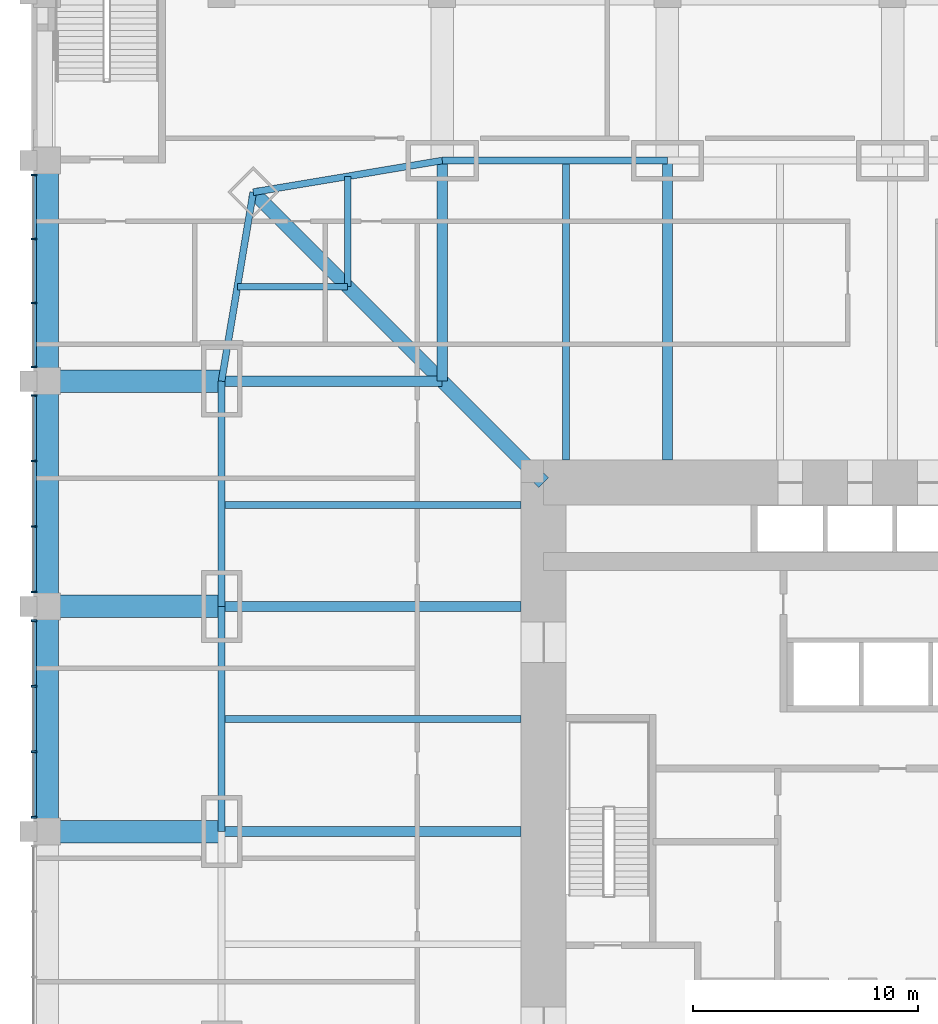
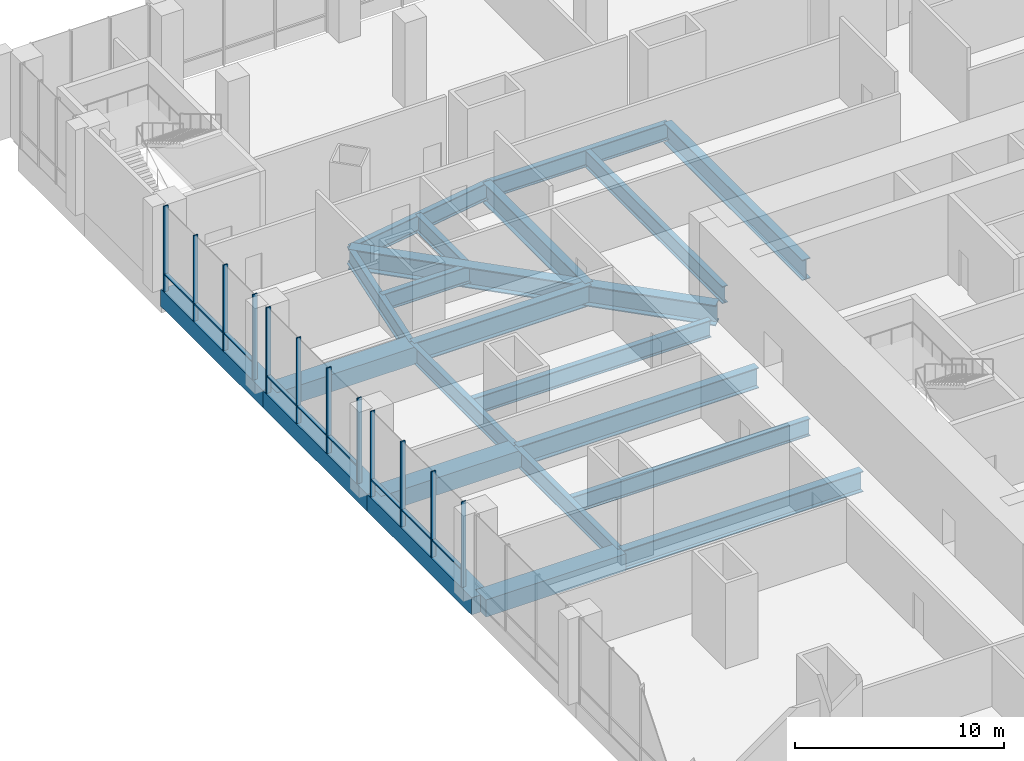
# One storey, part 6 of 24: 22 beams, 21 members, 3 elements without a shape of their own.
"""IFC4 building model written with IfcOpenShell, lengths in metres."""

from ifc_helpers import new_model, si_unit, direction, frame, origin, origin_2d, place, context, subcontext, project, spatial, rectangle, i_section, extrude, material, material_profile, profile_set, type_object, element, aggregate, save


model = new_model("IFC4")

# Units and contexts
model_context = context("Model", 3, precision=1e-05, world=origin(), true_north=direction((0.0, 1.0)))
body_context = subcontext(model_context, "Body", "Model", "MODEL_VIEW")
ifc_project = project(units=[si_unit("LENGTHUNIT", "METRE"), si_unit("AREAUNIT", "SQUARE_METRE"), si_unit("VOLUMEUNIT", "CUBIC_METRE"), si_unit("PLANEANGLEUNIT", "RADIAN"), si_unit("MASSUNIT", "GRAM", prefix="KILO")], contexts=[model_context])

# Site, building, storey
site_placement = place(None, origin())
site = spatial("IfcSite", under=ifc_project, at=site_placement, CompositionType="ELEMENT")
building_placement = place(site_placement, origin())
building = spatial("IfcBuilding", under=site, at=building_placement, Name="Khuree Lantern Residences", CompositionType="ELEMENT")
storey_placement = place(building_placement, frame((0.0, 0.0, 11.0)))
storey = spatial("IfcBuildingStorey", under=building, at=storey_placement, Name="L02", CompositionType="ELEMENT", Elevation=11.0)

# Beams
ifc_material_1 = material(Name="Steel S355", Category="steel")
ifc_material_profile_1 = material_profile(ifc_material_1, i_section(OverallWidth=0.300048828125, OverallDepth=1.0, WebThickness=0.01904296875, FlangeThickness=0.035888671875, FilletRadius=0.030029296875, at=origin_2d()), Name="HE 1000 B")
ifc_profile_set_1 = profile_set([ifc_material_profile_1], Name="Steel S355")
beam_type_1 = type_object("IfcBeamType", Name="B-02 SECONDARY BEAM HE 1000 B", PredefinedType="BEAM", material=ifc_profile_set_1)
for number, where, z_axis, x_axis, name in (
    (1, (-14.5, 29.800048828125, -0.800048828125), (0.0, -1.0, 0.0), (1.0, 0.0, 0.0), "Secondary beam N1"),
    (2, (-29.800048828125, 5.0, -0.800048828125), (1.0, 0.0, 0.0), (0.0, 1.0, 0.0), "Secondary beam W4"),
    (3, (-29.800048828125, 14.5, -0.800048828125), (1.0, 0.0, 0.0), (0.0, 1.0, 0.0), "Secondary beam W5"),
):
    element("IfcBeam", number, at=place(storey_placement, frame(where, z_axis=z_axis, x_axis=x_axis)), inside=storey, type_object=beam_type_1, Name=name, PredefinedType="BEAM", context=body_context, shape_type="SweptSolid", body=[
        extrude(i_section(OverallWidth=0.300048828125, OverallDepth=1.0, WebThickness=0.01904296875, FlangeThickness=0.035888671875, FilletRadius=0.030029296875, at=origin_2d()), origin(), (0.0, 0.0, 1.0), 13.300048828125),
    ])
for number, where, z_axis, x_axis, name in (
    (4, (-29.09716796875, 24.197021484375, -0.800048828125), (1.0, 0.0, 0.0), (0.0, 1.0, 0.0), "Secondary beam W6"),
    (5, (-24.197021484375, 29.09716796875, -0.800048828125), (0.0, -1.0, 0.0), (1.0, 0.0, 0.0), "Secondary beam N6"),
):
    element("IfcBeam", number, at=place(storey_placement, frame(where, z_axis=z_axis, x_axis=x_axis)), inside=storey, type_object=beam_type_1, Name=name, PredefinedType="BEAM", context=body_context, shape_type="SweptSolid", body=[
        extrude(i_section(OverallWidth=0.300048828125, OverallDepth=1.0, WebThickness=0.01904296875, FlangeThickness=0.035888671875, FilletRadius=0.030029296875, at=origin_2d()), origin(), (0.0, 0.0, 1.0), 4.900146484375),
    ])
ifc_material_profile_2 = material_profile(ifc_material_1, i_section(OverallWidth=0.300048828125, OverallDepth=1.0, WebThickness=0.01904296875, FlangeThickness=0.035888671875, FilletRadius=0.030029296875, at=origin_2d()), Name="HE 1000 B")
ifc_profile_set_2 = profile_set([ifc_material_profile_2], Name="Steel S355")
beam_type_2 = type_object("IfcBeamType", Name="E-02 SPANDREL BEAM HE 1000 B", PredefinedType="SPANDREL", material=ifc_profile_set_2)
for number, where, z_axis, x_axis, name in (
    (6, (-20.0, 29.800048828125, -0.800048828125), (1.0, 0.0, 0.0), (0.0, 1.0, 0.0), "Spandrel beam N1"),
    (7, (-29.800048828125, 0.0, -0.800048828125), (0.0, 1.0, 0.0), (-1.0, 0.0, 0.0), "Spandrel beam W4"),
    (8, (-29.800048828125, 10.0, -0.800048828125), (0.0, 1.0, 0.0), (-1.0, 0.0, 0.0), "Spandrel beam W5"),
):
    element("IfcBeam", number, at=place(storey_placement, frame(where, z_axis=z_axis, x_axis=x_axis)), inside=storey, type_object=beam_type_2, Name=name, PredefinedType="SPANDREL", context=body_context, shape_type="SweptSolid", body=[
        extrude(i_section(OverallWidth=0.300048828125, OverallDepth=1.0, WebThickness=0.01904296875, FlangeThickness=0.035888671875, FilletRadius=0.030029296875, at=origin_2d()), origin(), (0.0, 0.0, 1.0), 10.0),
    ])
for number, where, z_axis, x_axis, name in (
    (9, (-29.800048828125, 20.0, -0.800048828125), (0.165199022349, 0.986260251158, 0.0), (-0.986260251158, 0.165199022349, 0.0), "Spandrel beam W6"),
    (10, (-28.39404296875, 28.39404296875, -0.800048828125), (0.986260251158, 0.165199022349, 0.0), (-0.165199022349, 0.986260251158, 0.0), "Spandrel beam N6"),
):
    element("IfcBeam", number, at=place(storey_placement, frame(where, z_axis=z_axis, x_axis=x_axis)), inside=storey, type_object=beam_type_2, Name=name, PredefinedType="SPANDREL", context=body_context, shape_type="SweptSolid", body=[
        extrude(i_section(OverallWidth=0.300048828125, OverallDepth=1.0, WebThickness=0.01904296875, FlangeThickness=0.035888671875, FilletRadius=0.030029296875, at=origin_2d()), origin(), (0.0, 0.0, 1.0), 8.510986328125),
    ])
ifc_material_profile_3 = material_profile(ifc_material_1, i_section(OverallWidth=0.449951171875, OverallDepth=1.199951171875, WebThickness=0.02490234375, FlangeThickness=0.044921875, at=origin_2d()), Name="WELDED I 1200X450X25X45")
ifc_profile_set_3 = profile_set([ifc_material_profile_3], Name="Steel S355")
beam_type_3 = type_object("IfcBeamType", Name="G-02 GIRDER WELDED I 1200X450X25X45", PredefinedType="BEAM", material=ifc_profile_set_3)
beam_1_placement = place(storey_placement, frame((-20.0, 29.800048828125, -0.89990234375), z_axis=(0.0, -1.0, 0.0), x_axis=(1.0, 0.0, 0.0)))
element("IfcBeam", 11, at=beam_1_placement, inside=storey, type_object=beam_type_3, Name="Girder N1", PredefinedType="BEAM", context=body_context, shape_type="SweptSolid", body=[
    extrude(i_section(OverallWidth=0.449951171875, OverallDepth=1.199951171875, WebThickness=0.02490234375, FlangeThickness=0.044921875, at=origin_2d()), origin(), (0.0, 0.0, 1.0), 9.800048828125),
])
for number, where, z_axis, x_axis, name in (
    (12, (-10.0, 29.800048828125, -0.89990234375), (0.0, -1.0, 0.0), (1.0, 0.0, 0.0), "Girder N2"),
    (13, (-29.800048828125, 0.0, -0.89990234375), (1.0, 0.0, 0.0), (0.0, 1.0, 0.0), "Girder W3"),
    (14, (-29.800048828125, 10.0, -0.89990234375), (1.0, 0.0, 0.0), (0.0, 1.0, 0.0), "Girder W4"),
):
    element("IfcBeam", number, at=place(storey_placement, frame(where, z_axis=z_axis, x_axis=x_axis)), inside=storey, type_object=beam_type_3, Name=name, PredefinedType="BEAM", context=body_context, shape_type="SweptSolid", body=[
        extrude(i_section(OverallWidth=0.449951171875, OverallDepth=1.199951171875, WebThickness=0.02490234375, FlangeThickness=0.044921875, at=origin_2d()), origin(), (0.0, 0.0, 1.0), 13.300048828125),
    ])
beam_2_placement = place(storey_placement, frame((-29.800048828125, 20.0, -0.89990234375), z_axis=(1.0, 0.0, 0.0), x_axis=(0.0, 1.0, 0.0)))
element("IfcBeam", 15, at=beam_2_placement, inside=storey, type_object=beam_type_3, Name="Girder W5", PredefinedType="BEAM", context=body_context, shape_type="SweptSolid", body=[
    extrude(i_section(OverallWidth=0.449951171875, OverallDepth=1.199951171875, WebThickness=0.02490234375, FlangeThickness=0.044921875, at=origin_2d()), origin(), (0.0, 0.0, 1.0), 9.800048828125),
])
ifc_material_profile_4 = material_profile(ifc_material_1, i_section(OverallWidth=0.60009765625, OverallDepth=1.199951171875, WebThickness=0.030029296875, FlangeThickness=0.06005859375, at=origin_2d()), Name="WELDED I 1200X600X30X60")
ifc_profile_set_4 = profile_set([ifc_material_profile_4], Name="Steel S355")
beam_type_4 = type_object("IfcBeamType", Name="GD-02 CORNER GIRDER WELDED I 1200X600X30X60", PredefinedType="BEAM", material=ifc_profile_set_4)
beam_3_placement = place(storey_placement, frame((-28.39404296875, 28.39404296875, -0.89990234375), z_axis=(0.707106781187, -0.707106781187, 0.0), x_axis=(0.707106781187, 0.707106781187, 0.0)))
element("IfcBeam", 16, at=beam_3_placement, inside=storey, type_object=beam_type_4, Name="Corner girder NW", PredefinedType="BEAM", context=body_context, shape_type="SweptSolid", body=[
    extrude(i_section(OverallWidth=0.60009765625, OverallDepth=1.199951171875, WebThickness=0.030029296875, FlangeThickness=0.06005859375, at=origin_2d()), origin(), (0.0, 0.0, 1.0), 18.23486328125),
])

# Curtain wall, members
ifc_material_2 = material(Name="Bronze anodised aluminium", Category="aluminium")
curtain_wall_type = type_object("IfcCurtainWallType", Name="CW-P PODIUM STOREFRONT CURTAIN WALL", PredefinedType="USERDEFINED", material=ifc_material_2)
curtain_wall_1_placement = place(storey_placement, origin())
curtain_wall_1 = element("IfcCurtainWall", 17, at=curtain_wall_1_placement, inside=storey, type_object=curtain_wall_type, Name="L02 WEST FACE BAY 3 STOREFRONT", ObjectType="Storefront curtain wall", PredefinedType="USERDEFINED")
ifc_material_profile_5 = material_profile(ifc_material_2, rectangle(XDim=0.074951171875, YDim=0.25, at=origin_2d()), Name="M5 75X250")
ifc_profile_set_5 = profile_set([ifc_material_profile_5], Name="Bronze anodised aluminium")
member_type_1 = type_object("IfcMemberType", Name="MULLION M5 STOREFRONT 75X250", PredefinedType="MULLION", material=ifc_profile_set_5)
member_1_placement = place(storey_placement, frame((-38.125, 29.16259765625, 0.0), z_axis=(0.0, 0.0, 1.0), x_axis=(0.0, -1.0, 0.0)))
member_1 = element("IfcMember", 18, at=member_1_placement, type_object=member_type_1, Name="L02 WEST FACE BAY 3 MULLION 1", PredefinedType="MULLION", context=body_context, shape_type="SweptSolid", body=[
    extrude(rectangle(XDim=0.074951171875, YDim=0.25, at=origin_2d()), origin(), (0.0, 0.0, 1.0), 5.0),
])
member_2_placement = place(storey_placement, frame((-38.125, 26.32080078125, 0.0), z_axis=(0.0, 0.0, 1.0), x_axis=(0.0, -1.0, 0.0)))
member_2 = element("IfcMember", 19, at=member_2_placement, type_object=member_type_1, Name="L02 WEST FACE BAY 3 MULLION 2", PredefinedType="MULLION", context=body_context, shape_type="SweptSolid", body=[
    extrude(rectangle(XDim=0.074951171875, YDim=0.25, at=origin_2d()), origin(), (0.0, 0.0, 1.0), 5.0),
])
member_3_placement = place(storey_placement, frame((-38.125, 23.479248046875, 0.0), z_axis=(0.0, 0.0, 1.0), x_axis=(0.0, -1.0, 0.0)))
member_3 = element("IfcMember", 20, at=member_3_placement, type_object=member_type_1, Name="L02 WEST FACE BAY 3 MULLION 3", PredefinedType="MULLION", context=body_context, shape_type="SweptSolid", body=[
    extrude(rectangle(XDim=0.074951171875, YDim=0.25, at=origin_2d()), origin(), (0.0, 0.0, 1.0), 5.0),
])
member_4_placement = place(storey_placement, frame((-38.125, 20.637451171875, 0.0), z_axis=(0.0, 0.0, 1.0), x_axis=(0.0, -1.0, 0.0)))
member_4 = element("IfcMember", 21, at=member_4_placement, type_object=member_type_1, Name="L02 WEST FACE BAY 3 MULLION 4", PredefinedType="MULLION", context=body_context, shape_type="SweptSolid", body=[
    extrude(rectangle(XDim=0.074951171875, YDim=0.25, at=origin_2d()), origin(), (0.0, 0.0, 1.0), 5.0),
])

curtain_wall_2_placement = place(storey_placement, origin())
curtain_wall_2 = element("IfcCurtainWall", 22, at=curtain_wall_2_placement, inside=storey, type_object=curtain_wall_type, Name="L02 WEST FACE BAY 4 STOREFRONT", ObjectType="Storefront curtain wall", PredefinedType="USERDEFINED")
member_5_placement = place(storey_placement, frame((-38.125, 19.362548828125, 0.0), z_axis=(0.0, 0.0, 1.0), x_axis=(0.0, -1.0, 0.0)))
member_5 = element("IfcMember", 23, at=member_5_placement, type_object=member_type_1, Name="L02 WEST FACE BAY 4 MULLION 1", PredefinedType="MULLION", context=body_context, shape_type="SweptSolid", body=[
    extrude(rectangle(XDim=0.074951171875, YDim=0.25, at=origin_2d()), origin(), (0.0, 0.0, 1.0), 5.0),
])
member_6_placement = place(storey_placement, frame((-38.125, 16.4541015625, 0.0), z_axis=(0.0, 0.0, 1.0), x_axis=(0.0, -1.0, 0.0)))
member_6 = element("IfcMember", 24, at=member_6_placement, type_object=member_type_1, Name="L02 WEST FACE BAY 4 MULLION 2", PredefinedType="MULLION", context=body_context, shape_type="SweptSolid", body=[
    extrude(rectangle(XDim=0.074951171875, YDim=0.25, at=origin_2d()), origin(), (0.0, 0.0, 1.0), 5.0),
])
member_7_placement = place(storey_placement, frame((-38.125, 13.5458984375, 0.0), z_axis=(0.0, 0.0, 1.0), x_axis=(0.0, -1.0, 0.0)))
member_7 = element("IfcMember", 25, at=member_7_placement, type_object=member_type_1, Name="L02 WEST FACE BAY 4 MULLION 3", PredefinedType="MULLION", context=body_context, shape_type="SweptSolid", body=[
    extrude(rectangle(XDim=0.074951171875, YDim=0.25, at=origin_2d()), origin(), (0.0, 0.0, 1.0), 5.0),
])
member_8_placement = place(storey_placement, frame((-38.125, 10.637451171875, 0.0), z_axis=(0.0, 0.0, 1.0), x_axis=(0.0, -1.0, 0.0)))
member_8 = element("IfcMember", 26, at=member_8_placement, type_object=member_type_1, Name="L02 WEST FACE BAY 4 MULLION 4", PredefinedType="MULLION", context=body_context, shape_type="SweptSolid", body=[
    extrude(rectangle(XDim=0.074951171875, YDim=0.25, at=origin_2d()), origin(), (0.0, 0.0, 1.0), 5.0),
])

curtain_wall_3_placement = place(storey_placement, origin())
curtain_wall_3 = element("IfcCurtainWall", 27, at=curtain_wall_3_placement, inside=storey, type_object=curtain_wall_type, Name="L02 WEST FACE BAY 5 STOREFRONT", ObjectType="Storefront curtain wall", PredefinedType="USERDEFINED")
member_9_placement = place(storey_placement, frame((-38.125, 9.362548828125, 0.0), z_axis=(0.0, 0.0, 1.0), x_axis=(0.0, -1.0, 0.0)))
member_9 = element("IfcMember", 28, at=member_9_placement, type_object=member_type_1, Name="L02 WEST FACE BAY 5 MULLION 1", PredefinedType="MULLION", context=body_context, shape_type="SweptSolid", body=[
    extrude(rectangle(XDim=0.074951171875, YDim=0.25, at=origin_2d()), origin(), (0.0, 0.0, 1.0), 5.0),
])
member_10_placement = place(storey_placement, frame((-38.125, 6.4541015625, 0.0), z_axis=(0.0, 0.0, 1.0), x_axis=(0.0, -1.0, 0.0)))
member_10 = element("IfcMember", 29, at=member_10_placement, type_object=member_type_1, Name="L02 WEST FACE BAY 5 MULLION 2", PredefinedType="MULLION", context=body_context, shape_type="SweptSolid", body=[
    extrude(rectangle(XDim=0.074951171875, YDim=0.25, at=origin_2d()), origin(), (0.0, 0.0, 1.0), 5.0),
])
member_11_placement = place(storey_placement, frame((-38.125, 3.5458984375, 0.0), z_axis=(0.0, 0.0, 1.0), x_axis=(0.0, -1.0, 0.0)))
member_11 = element("IfcMember", 30, at=member_11_placement, type_object=member_type_1, Name="L02 WEST FACE BAY 5 MULLION 3", PredefinedType="MULLION", context=body_context, shape_type="SweptSolid", body=[
    extrude(rectangle(XDim=0.074951171875, YDim=0.25, at=origin_2d()), origin(), (0.0, 0.0, 1.0), 5.0),
])
member_12_placement = place(storey_placement, frame((-38.125, 0.637451171875, 0.0), z_axis=(0.0, 0.0, 1.0), x_axis=(0.0, -1.0, 0.0)))
member_12 = element("IfcMember", 31, at=member_12_placement, type_object=member_type_1, Name="L02 WEST FACE BAY 5 MULLION 4", PredefinedType="MULLION", context=body_context, shape_type="SweptSolid", body=[
    extrude(rectangle(XDim=0.074951171875, YDim=0.25, at=origin_2d()), origin(), (0.0, 0.0, 1.0), 5.0),
])

# Beams
ifc_material_3 = material(Name="Concrete C40/50", Category="concrete")
ifc_material_profile_6 = material_profile(ifc_material_3, rectangle(XDim=1.0, YDim=1.0, at=origin_2d()), Name="RC 1000X1000")
ifc_profile_set_6 = profile_set([ifc_material_profile_6], Name="Concrete C40/50")
beam_type_5 = type_object("IfcBeamType", Name="RB3 PODIUM BEAM RC 1000X1000", PredefinedType="BEAM", material=ifc_profile_set_6)
for number, where, z_axis, x_axis, name in (
    (32, (-37.550048828125, 0.0, -0.800048828125), (1.0, 0.0, 0.0), (0.0, 1.0, 0.0), "Podium beam RB-5"),
    (33, (-37.550048828125, 10.0, -0.800048828125), (1.0, 0.0, 0.0), (0.0, 1.0, 0.0), "Podium beam RB-7"),
    (34, (-37.550048828125, 20.0, -0.800048828125), (1.0, 0.0, 0.0), (0.0, 1.0, 0.0), "Podium beam RB-9"),
):
    element("IfcBeam", number, at=place(storey_placement, frame(where, z_axis=z_axis, x_axis=x_axis)), inside=storey, type_object=beam_type_5, Name=name, PredefinedType="BEAM", context=body_context, shape_type="SweptSolid", body=[
        extrude(rectangle(XDim=1.0, YDim=1.0, at=origin_2d()), origin(), (0.0, 0.0, 1.0), 7.75),
    ])
for number, where, z_axis, x_axis, name in (
    (35, (-37.550048828125, 0.0, -0.800048828125), (0.0, 1.0, 0.0), (-1.0, 0.0, 0.0), "Podium beam RB-28"),
    (36, (-37.550048828125, 10.0, -0.800048828125), (0.0, 1.0, 0.0), (-1.0, 0.0, 0.0), "Podium beam RB-29"),
):
    element("IfcBeam", number, at=place(storey_placement, frame(where, z_axis=z_axis, x_axis=x_axis)), inside=storey, type_object=beam_type_5, Name=name, PredefinedType="BEAM", context=body_context, shape_type="SweptSolid", body=[
        extrude(rectangle(XDim=1.0, YDim=1.0, at=origin_2d()), origin(), (0.0, 0.0, 1.0), 10.0),
    ])
beam_4_placement = place(storey_placement, frame((-37.550048828125, 20.0, -0.800048828125), z_axis=(0.0, 1.0, 0.0), x_axis=(-1.0, 0.0, 0.0)))
element("IfcBeam", 37, at=beam_4_placement, inside=storey, type_object=beam_type_5, Name="Podium beam RB-30", PredefinedType="BEAM", context=body_context, shape_type="SweptSolid", body=[
    extrude(rectangle(XDim=1.0, YDim=1.0, at=origin_2d()), origin(), (0.0, 0.0, 1.0), 9.800048828125),
])

# Member
ifc_material_profile_7 = material_profile(ifc_material_2, rectangle(XDim=0.199951171875, YDim=0.074951171875, at=origin_2d()), Name="T5 200X75")
ifc_profile_set_7 = profile_set([ifc_material_profile_7], Name="Bronze anodised aluminium")
member_type_2 = type_object("IfcMemberType", Name="TRANSOM T5 STOREFRONT 200X75", PredefinedType="USERDEFINED", material=ifc_profile_set_7)
member_13_placement = place(storey_placement, frame((-38.1201171875, 29.125, 1.0), z_axis=(0.0, -1.0, 0.0), x_axis=(1.0, 0.0, 0.0)))
member_13 = element("IfcMember", 38, at=member_13_placement, type_object=member_type_2, Name="L02 WEST FACE BAY 3 TRANSOM 1", ObjectType="Transom", PredefinedType="USERDEFINED", context=body_context, shape_type="SweptSolid", body=[
    extrude(rectangle(XDim=0.199951171875, YDim=0.074951171875, at=origin_2d()), origin(), (0.0, 0.0, 1.0), 2.7666015625),
])

member_14_placement = place(storey_placement, frame((-38.1201171875, 26.283447265625, 1.0), z_axis=(0.0, -1.0, 0.0), x_axis=(1.0, 0.0, 0.0)))
member_14 = element("IfcMember", 39, at=member_14_placement, type_object=member_type_2, Name="L02 WEST FACE BAY 3 TRANSOM 2", ObjectType="Transom", PredefinedType="USERDEFINED", context=body_context, shape_type="SweptSolid", body=[
    extrude(rectangle(XDim=0.199951171875, YDim=0.074951171875, at=origin_2d()), origin(), (0.0, 0.0, 1.0), 2.766845703125),
])

member_15_placement = place(storey_placement, frame((-38.1201171875, 23.441650390625, 1.0), z_axis=(0.0, -1.0, 0.0), x_axis=(1.0, 0.0, 0.0)))
member_15 = element("IfcMember", 40, at=member_15_placement, type_object=member_type_2, Name="L02 WEST FACE BAY 3 TRANSOM 3", ObjectType="Transom", PredefinedType="USERDEFINED", context=body_context, shape_type="SweptSolid", body=[
    extrude(rectangle(XDim=0.199951171875, YDim=0.074951171875, at=origin_2d()), origin(), (0.0, 0.0, 1.0), 2.7666015625),
])

aggregate(curtain_wall_1, [member_1, member_2, member_3, member_4, member_13, member_14, member_15])

member_16_placement = place(storey_placement, frame((-38.1201171875, 19.324951171875, 1.0), z_axis=(0.0, -1.0, 0.0), x_axis=(1.0, 0.0, 0.0)))
member_16 = element("IfcMember", 41, at=member_16_placement, type_object=member_type_2, Name="L02 WEST FACE BAY 4 TRANSOM 1", ObjectType="Transom", PredefinedType="USERDEFINED", context=body_context, shape_type="SweptSolid", body=[
    extrude(rectangle(XDim=0.199951171875, YDim=0.074951171875, at=origin_2d()), origin(), (0.0, 0.0, 1.0), 2.833251953125),
])

member_17_placement = place(storey_placement, frame((-38.1201171875, 16.416748046875, 1.0), z_axis=(0.0, -1.0, 0.0), x_axis=(1.0, 0.0, 0.0)))
member_17 = element("IfcMember", 42, at=member_17_placement, type_object=member_type_2, Name="L02 WEST FACE BAY 4 TRANSOM 2", ObjectType="Transom", PredefinedType="USERDEFINED", context=body_context, shape_type="SweptSolid", body=[
    extrude(rectangle(XDim=0.199951171875, YDim=0.074951171875, at=origin_2d()), origin(), (0.0, 0.0, 1.0), 2.83349609375),
])

member_18_placement = place(storey_placement, frame((-38.1201171875, 13.50830078125, 1.0), z_axis=(0.0, -1.0, 0.0), x_axis=(1.0, 0.0, 0.0)))
member_18 = element("IfcMember", 43, at=member_18_placement, type_object=member_type_2, Name="L02 WEST FACE BAY 4 TRANSOM 3", ObjectType="Transom", PredefinedType="USERDEFINED", context=body_context, shape_type="SweptSolid", body=[
    extrude(rectangle(XDim=0.199951171875, YDim=0.074951171875, at=origin_2d()), origin(), (0.0, 0.0, 1.0), 2.833251953125),
])

aggregate(curtain_wall_2, [member_5, member_6, member_7, member_8, member_16, member_17, member_18])

member_19_placement = place(storey_placement, frame((-38.1201171875, 9.324951171875, 1.0), z_axis=(0.0, -1.0, 0.0), x_axis=(1.0, 0.0, 0.0)))
member_19 = element("IfcMember", 44, at=member_19_placement, type_object=member_type_2, Name="L02 WEST FACE BAY 5 TRANSOM 1", ObjectType="Transom", PredefinedType="USERDEFINED", context=body_context, shape_type="SweptSolid", body=[
    extrude(rectangle(XDim=0.199951171875, YDim=0.074951171875, at=origin_2d()), origin(), (0.0, 0.0, 1.0), 2.833251953125),
])

member_20_placement = place(storey_placement, frame((-38.1201171875, 6.416748046875, 1.0), z_axis=(0.0, -1.0, 0.0), x_axis=(1.0, 0.0, 0.0)))
member_20 = element("IfcMember", 45, at=member_20_placement, type_object=member_type_2, Name="L02 WEST FACE BAY 5 TRANSOM 2", ObjectType="Transom", PredefinedType="USERDEFINED", context=body_context, shape_type="SweptSolid", body=[
    extrude(rectangle(XDim=0.199951171875, YDim=0.074951171875, at=origin_2d()), origin(), (0.0, 0.0, 1.0), 2.83349609375),
])

member_21_placement = place(storey_placement, frame((-38.1201171875, 3.50830078125, 1.0), z_axis=(0.0, -1.0, 0.0), x_axis=(1.0, 0.0, 0.0)))
member_21 = element("IfcMember", 46, at=member_21_placement, type_object=member_type_2, Name="L02 WEST FACE BAY 5 TRANSOM 3", ObjectType="Transom", PredefinedType="USERDEFINED", context=body_context, shape_type="SweptSolid", body=[
    extrude(rectangle(XDim=0.199951171875, YDim=0.074951171875, at=origin_2d()), origin(), (0.0, 0.0, 1.0), 2.833251953125),
])

aggregate(curtain_wall_3, [member_9, member_10, member_11, member_12, member_19, member_20, member_21])

save(model, "model.ifc")
